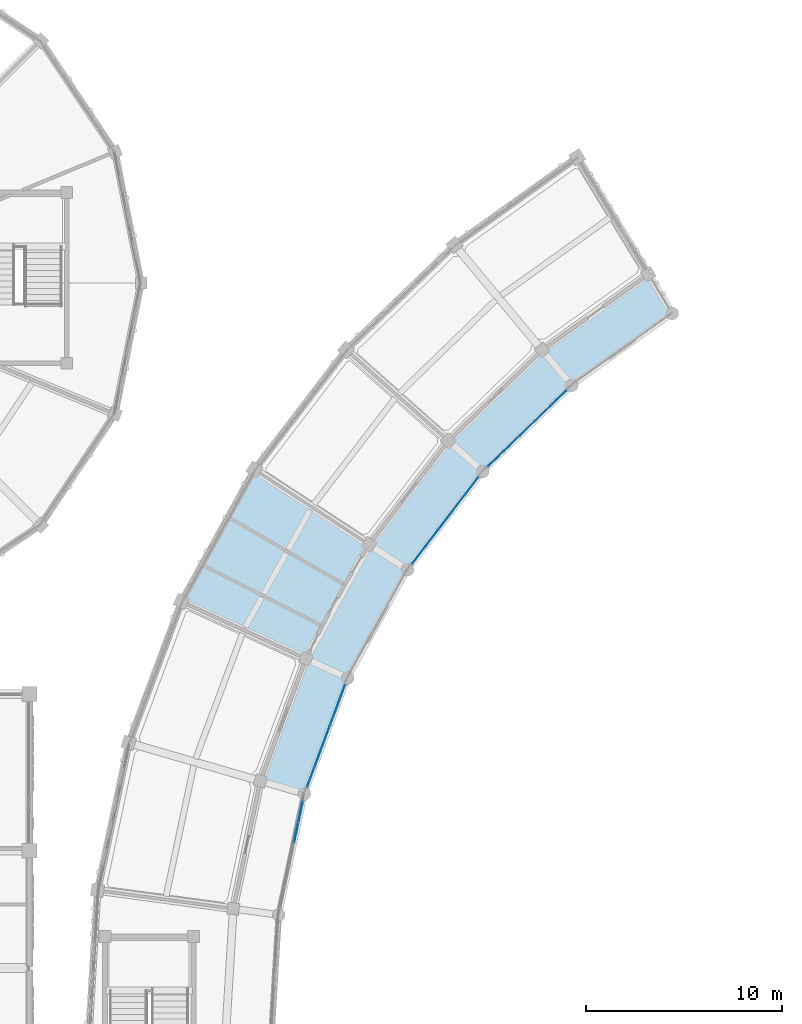
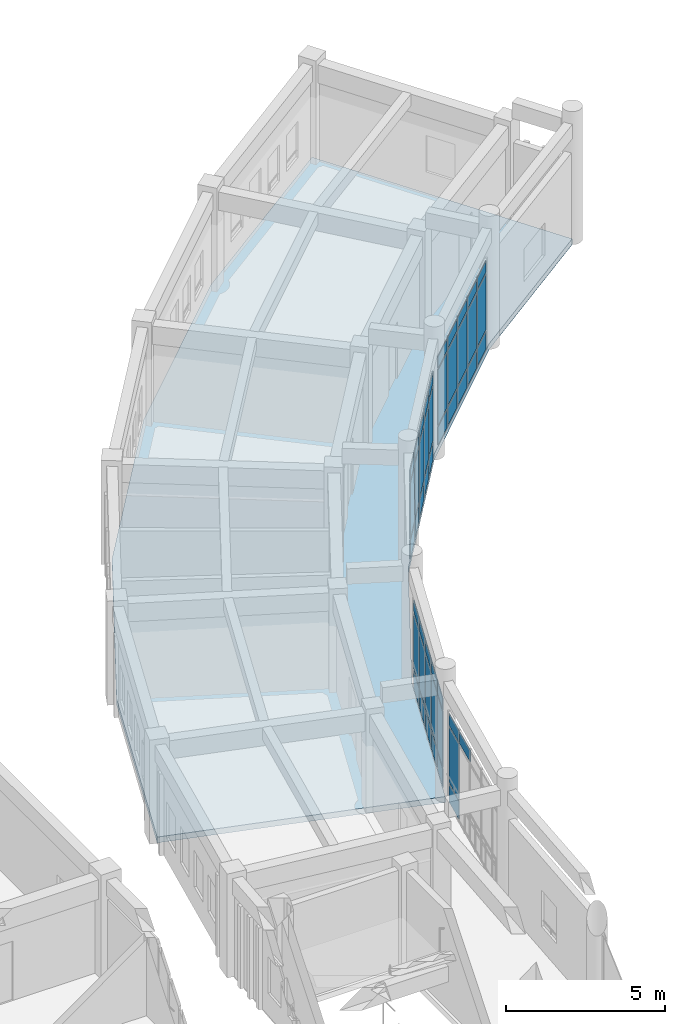
# One storey, part 109 of 159: 49 plates, 1 slab, 4 elements without a shape of their own.
"""IFC4 building model written with IfcOpenShell, lengths in metres."""

from ifc_helpers import new_model, si_unit, direction, frame, origin, origin_2d, place, context, subcontext, project, spatial, polyline, rectangle, outline, extrude, material, layer, layer_set, type_object, element, aggregate, save


model = new_model("IFC4")

# Units and contexts
model_context = context("Model", 3, precision=1e-05, world=origin(), true_north=direction((0.0, 1.0)))
body_context = subcontext(model_context, "Body", "Model", "MODEL_VIEW")
ifc_project = project(units=[si_unit("LENGTHUNIT", "METRE"), si_unit("AREAUNIT", "SQUARE_METRE"), si_unit("VOLUMEUNIT", "CUBIC_METRE"), si_unit("PLANEANGLEUNIT", "RADIAN"), si_unit("MASSUNIT", "GRAM", prefix="KILO")], contexts=[model_context])

# Site, building, storey
site_placement = place(None, origin())
site = spatial("IfcSite", under=ifc_project, at=site_placement, CompositionType="ELEMENT")
building_placement = place(site_placement, origin())
building = spatial("IfcBuilding", under=site, at=building_placement, Name="Celadon Cloister-Ring School", CompositionType="ELEMENT")
storey_placement = place(building_placement, frame((0.0, 0.0, 4.5)))
storey = spatial("IfcBuildingStorey", under=building, at=storey_placement, Name="L01", CompositionType="ELEMENT", Elevation=4.5)

# Curtain wall, plates
ifc_material_1 = material(Name="Aluminium EN AW-6063 T6", Category="aluminium")
curtain_wall_type = type_object("IfcCurtainWallType", Name="CW-01", PredefinedType="USERDEFINED", material=ifc_material_1)
curtain_wall_1_placement = place(storey_placement, origin())
curtain_wall_1 = element("IfcCurtainWall", 1, at=curtain_wall_1_placement, inside=storey, type_object=curtain_wall_type, Name="Curtain Wall 0021", ObjectType="CURTAIN WALL", PredefinedType="USERDEFINED")
ifc_material_2 = material(Name="Tempered laminated insulating glass", Category="glass")
ifc_layer_1 = layer(ifc_material_2, 0.028076171875)
ifc_layer_set_1 = layer_set([ifc_layer_1], Name="Tempered laminated insulating glass")
plate_type = type_object("IfcPlateType", Name="CPN-02", PredefinedType="CURTAIN_PANEL", material=ifc_layer_set_1)
plate_1_placement = place(storey_placement, frame((59.03515625, 91.125732421875, 0.074951171875), z_axis=(0.0, 0.0, 1.0), x_axis=(-0.718565178082, -0.695459621292, 0.0)))
plate_1 = element("IfcPlate", 2, at=plate_1_placement, type_object=plate_type, Name="CW-01 panel 1.1", PredefinedType="CURTAIN_PANEL", context=body_context, shape_type="SweptSolid", body=[
    extrude(rectangle(XDim=1.013916015625, YDim=0.028076171875, at=origin_2d()), origin(), (0.0, 0.0, 1.0), 0.6875),
])
plate_2_placement = place(storey_placement, frame((59.03515625, 91.125732421875, 0.83740234375), z_axis=(0.0, 0.0, 1.0), x_axis=(-0.718565178082, -0.695459621292, 0.0)))
plate_2 = element("IfcPlate", 3, at=plate_2_placement, type_object=plate_type, Name="CW-01 panel 1.2", PredefinedType="CURTAIN_PANEL", context=body_context, shape_type="SweptSolid", body=[
    extrude(rectangle(XDim=1.013916015625, YDim=0.028076171875, at=origin_2d()), origin(), (0.0, 0.0, 1.0), 2.125),
])
plate_3_placement = place(storey_placement, frame((59.03515625, 91.125732421875, 3.03759765625), z_axis=(0.0, 0.0, 1.0), x_axis=(-0.718565178082, -0.695459621292, 0.0)))
plate_3 = element("IfcPlate", 4, at=plate_3_placement, type_object=plate_type, Name="CW-01 panel 1.3", PredefinedType="CURTAIN_PANEL", context=body_context, shape_type="SweptSolid", body=[
    extrude(rectangle(XDim=1.013916015625, YDim=0.028076171875, at=origin_2d()), origin(), (0.0, 0.0, 1.0), 0.4375),
])
plate_4_placement = place(storey_placement, frame((58.23486328125, 90.35107421875, 0.074951171875), z_axis=(0.0, 0.0, 1.0), x_axis=(-0.718565178082, -0.695459621292, 0.0)))
plate_4 = element("IfcPlate", 5, at=plate_4_placement, type_object=plate_type, Name="CW-01 panel 2.1", PredefinedType="CURTAIN_PANEL", context=body_context, shape_type="SweptSolid", body=[
    extrude(rectangle(XDim=1.053955078125, YDim=0.028076171875, at=origin_2d()), origin(), (0.0, 0.0, 1.0), 0.6875),
])
plate_5_placement = place(storey_placement, frame((58.23486328125, 90.35107421875, 0.83740234375), z_axis=(0.0, 0.0, 1.0), x_axis=(-0.718565178082, -0.695459621292, 0.0)))
plate_5 = element("IfcPlate", 6, at=plate_5_placement, type_object=plate_type, Name="CW-01 panel 2.2", PredefinedType="CURTAIN_PANEL", context=body_context, shape_type="SweptSolid", body=[
    extrude(rectangle(XDim=1.053955078125, YDim=0.028076171875, at=origin_2d()), origin(), (0.0, 0.0, 1.0), 2.125),
])
plate_6_placement = place(storey_placement, frame((58.23486328125, 90.35107421875, 3.03759765625), z_axis=(0.0, 0.0, 1.0), x_axis=(-0.718565178082, -0.695459621292, 0.0)))
plate_6 = element("IfcPlate", 7, at=plate_6_placement, type_object=plate_type, Name="CW-01 panel 2.3", PredefinedType="CURTAIN_PANEL", context=body_context, shape_type="SweptSolid", body=[
    extrude(rectangle(XDim=1.053955078125, YDim=0.028076171875, at=origin_2d()), origin(), (0.0, 0.0, 1.0), 0.4375),
])
plate_7_placement = place(storey_placement, frame((57.419921875, 89.5625, 0.074951171875), z_axis=(0.0, 0.0, 1.0), x_axis=(-0.718565178082, -0.695459621292, 0.0)))
plate_7 = element("IfcPlate", 8, at=plate_7_placement, type_object=plate_type, Name="CW-01 panel 3.1", PredefinedType="CURTAIN_PANEL", context=body_context, shape_type="SweptSolid", body=[
    extrude(rectangle(XDim=1.053955078125, YDim=0.028076171875, at=origin_2d()), origin(), (0.0, 0.0, 1.0), 0.6875),
])
plate_8_placement = place(storey_placement, frame((57.419921875, 89.5625, 0.83740234375), z_axis=(0.0, 0.0, 1.0), x_axis=(-0.718565178082, -0.695459621292, 0.0)))
plate_8 = element("IfcPlate", 9, at=plate_8_placement, type_object=plate_type, Name="CW-01 panel 3.2", PredefinedType="CURTAIN_PANEL", context=body_context, shape_type="SweptSolid", body=[
    extrude(rectangle(XDim=1.053955078125, YDim=0.028076171875, at=origin_2d()), origin(), (0.0, 0.0, 1.0), 2.125),
])
plate_9_placement = place(storey_placement, frame((57.419921875, 89.5625, 3.03759765625), z_axis=(0.0, 0.0, 1.0), x_axis=(-0.718565178082, -0.695459621292, 0.0)))
plate_9 = element("IfcPlate", 10, at=plate_9_placement, type_object=plate_type, Name="CW-01 panel 3.3", PredefinedType="CURTAIN_PANEL", context=body_context, shape_type="SweptSolid", body=[
    extrude(rectangle(XDim=1.053955078125, YDim=0.028076171875, at=origin_2d()), origin(), (0.0, 0.0, 1.0), 0.4375),
])
plate_10_placement = place(storey_placement, frame((56.605224609375, 88.77392578125, 0.074951171875), z_axis=(0.0, 0.0, 1.0), x_axis=(-0.718565178082, -0.695459621292, 0.0)))
plate_10 = element("IfcPlate", 11, at=plate_10_placement, type_object=plate_type, Name="CW-01 panel 4.1", PredefinedType="CURTAIN_PANEL", context=body_context, shape_type="SweptSolid", body=[
    extrude(rectangle(XDim=1.053955078125, YDim=0.028076171875, at=origin_2d()), origin(), (0.0, 0.0, 1.0), 0.6875),
])
plate_11_placement = place(storey_placement, frame((56.605224609375, 88.77392578125, 0.83740234375), z_axis=(0.0, 0.0, 1.0), x_axis=(-0.718565178082, -0.695459621292, 0.0)))
plate_11 = element("IfcPlate", 12, at=plate_11_placement, type_object=plate_type, Name="CW-01 panel 4.2", PredefinedType="CURTAIN_PANEL", context=body_context, shape_type="SweptSolid", body=[
    extrude(rectangle(XDim=1.053955078125, YDim=0.028076171875, at=origin_2d()), origin(), (0.0, 0.0, 1.0), 2.125),
])
plate_12_placement = place(storey_placement, frame((56.605224609375, 88.77392578125, 3.03759765625), z_axis=(0.0, 0.0, 1.0), x_axis=(-0.718565178082, -0.695459621292, 0.0)))
plate_12 = element("IfcPlate", 13, at=plate_12_placement, type_object=plate_type, Name="CW-01 panel 4.3", PredefinedType="CURTAIN_PANEL", context=body_context, shape_type="SweptSolid", body=[
    extrude(rectangle(XDim=1.053955078125, YDim=0.028076171875, at=origin_2d()), origin(), (0.0, 0.0, 1.0), 0.4375),
])
plate_13_placement = place(storey_placement, frame((55.8046875, 87.999267578125, 0.074951171875), z_axis=(0.0, 0.0, 1.0), x_axis=(-0.718565178082, -0.695459621292, 0.0)))
plate_13 = element("IfcPlate", 14, at=plate_13_placement, type_object=plate_type, Name="CW-01 panel 5.1", PredefinedType="CURTAIN_PANEL", context=body_context, shape_type="SweptSolid", body=[
    extrude(rectangle(XDim=1.013916015625, YDim=0.028076171875, at=origin_2d()), origin(), (0.0, 0.0, 1.0), 0.6875),
])
plate_14_placement = place(storey_placement, frame((55.8046875, 87.999267578125, 0.83740234375), z_axis=(0.0, 0.0, 1.0), x_axis=(-0.718565178082, -0.695459621292, 0.0)))
plate_14 = element("IfcPlate", 15, at=plate_14_placement, type_object=plate_type, Name="CW-01 panel 5.2", PredefinedType="CURTAIN_PANEL", context=body_context, shape_type="SweptSolid", body=[
    extrude(rectangle(XDim=1.013916015625, YDim=0.028076171875, at=origin_2d()), origin(), (0.0, 0.0, 1.0), 2.125),
])
plate_15_placement = place(storey_placement, frame((55.8046875, 87.999267578125, 3.03759765625), z_axis=(0.0, 0.0, 1.0), x_axis=(-0.718565178082, -0.695459621292, 0.0)))
plate_15 = element("IfcPlate", 16, at=plate_15_placement, type_object=plate_type, Name="CW-01 panel 5.3", PredefinedType="CURTAIN_PANEL", context=body_context, shape_type="SweptSolid", body=[
    extrude(rectangle(XDim=1.013916015625, YDim=0.028076171875, at=origin_2d()), origin(), (0.0, 0.0, 1.0), 0.4375),
])
aggregate(curtain_wall_1, [plate_1, plate_2, plate_3, plate_4, plate_5, plate_6, plate_7, plate_8, plate_9, plate_10, plate_11, plate_12, plate_13, plate_14, plate_15])

curtain_wall_2_placement = place(storey_placement, origin())
curtain_wall_2 = element("IfcCurtainWall", 17, at=curtain_wall_2_placement, inside=storey, type_object=curtain_wall_type, Name="Curtain Wall 0022", ObjectType="CURTAIN WALL", PredefinedType="USERDEFINED")
plate_16_placement = place(storey_placement, frame((54.595458984375, 86.64111328125, 0.074951171875), z_axis=(0.0, 0.0, 1.0), x_axis=(-0.607875738699, -0.794032169563, 0.0)))
plate_16 = element("IfcPlate", 18, at=plate_16_placement, type_object=plate_type, Name="CW-01 panel 1.1", PredefinedType="CURTAIN_PANEL", context=body_context, shape_type="SweptSolid", body=[
    extrude(rectangle(XDim=1.013427734375, YDim=0.028076171875, at=origin_2d()), origin(), (0.0, 0.0, 1.0), 0.6875),
])
plate_17_placement = place(storey_placement, frame((54.595458984375, 86.64111328125, 0.83740234375), z_axis=(0.0, 0.0, 1.0), x_axis=(-0.607875738699, -0.794032169563, 0.0)))
plate_17 = element("IfcPlate", 19, at=plate_17_placement, type_object=plate_type, Name="CW-01 panel 1.2", PredefinedType="CURTAIN_PANEL", context=body_context, shape_type="SweptSolid", body=[
    extrude(rectangle(XDim=1.013427734375, YDim=0.028076171875, at=origin_2d()), origin(), (0.0, 0.0, 1.0), 2.125),
])
plate_18_placement = place(storey_placement, frame((54.595458984375, 86.64111328125, 3.03759765625), z_axis=(0.0, 0.0, 1.0), x_axis=(-0.607875738699, -0.794032169563, 0.0)))
plate_18 = element("IfcPlate", 20, at=plate_18_placement, type_object=plate_type, Name="CW-01 panel 1.3", PredefinedType="CURTAIN_PANEL", context=body_context, shape_type="SweptSolid", body=[
    extrude(rectangle(XDim=1.013427734375, YDim=0.028076171875, at=origin_2d()), origin(), (0.0, 0.0, 1.0), 0.4375),
])
plate_19_placement = place(storey_placement, frame((53.91845703125, 85.757080078125, 0.074951171875), z_axis=(0.0, 0.0, 1.0), x_axis=(-0.607875738699, -0.794032169563, 0.0)))
plate_19 = element("IfcPlate", 21, at=plate_19_placement, type_object=plate_type, Name="CW-01 panel 2.1", PredefinedType="CURTAIN_PANEL", context=body_context, shape_type="SweptSolid", body=[
    extrude(rectangle(XDim=1.053466796875, YDim=0.028076171875, at=origin_2d()), origin(), (0.0, 0.0, 1.0), 0.6875),
])
plate_20_placement = place(storey_placement, frame((53.91845703125, 85.757080078125, 0.83740234375), z_axis=(0.0, 0.0, 1.0), x_axis=(-0.607875738699, -0.794032169563, 0.0)))
plate_20 = element("IfcPlate", 22, at=plate_20_placement, type_object=plate_type, Name="CW-01 panel 2.2", PredefinedType="CURTAIN_PANEL", context=body_context, shape_type="SweptSolid", body=[
    extrude(rectangle(XDim=1.053466796875, YDim=0.028076171875, at=origin_2d()), origin(), (0.0, 0.0, 1.0), 2.125),
])
plate_21_placement = place(storey_placement, frame((53.91845703125, 85.757080078125, 3.03759765625), z_axis=(0.0, 0.0, 1.0), x_axis=(-0.607875738699, -0.794032169563, 0.0)))
plate_21 = element("IfcPlate", 23, at=plate_21_placement, type_object=plate_type, Name="CW-01 panel 2.3", PredefinedType="CURTAIN_PANEL", context=body_context, shape_type="SweptSolid", body=[
    extrude(rectangle(XDim=1.053466796875, YDim=0.028076171875, at=origin_2d()), origin(), (0.0, 0.0, 1.0), 0.4375),
])
plate_22_placement = place(storey_placement, frame((53.2294921875, 84.85693359375, 0.074951171875), z_axis=(0.0, 0.0, 1.0), x_axis=(-0.607875738699, -0.794032169563, 0.0)))
plate_22 = element("IfcPlate", 24, at=plate_22_placement, type_object=plate_type, Name="CW-01 panel 3.1", PredefinedType="CURTAIN_PANEL", context=body_context, shape_type="SweptSolid", body=[
    extrude(rectangle(XDim=1.053466796875, YDim=0.028076171875, at=origin_2d()), origin(), (0.0, 0.0, 1.0), 0.6875),
])
plate_23_placement = place(storey_placement, frame((53.2294921875, 84.85693359375, 0.83740234375), z_axis=(0.0, 0.0, 1.0), x_axis=(-0.607875738699, -0.794032169563, 0.0)))
plate_23 = element("IfcPlate", 25, at=plate_23_placement, type_object=plate_type, Name="CW-01 panel 3.2", PredefinedType="CURTAIN_PANEL", context=body_context, shape_type="SweptSolid", body=[
    extrude(rectangle(XDim=1.053466796875, YDim=0.028076171875, at=origin_2d()), origin(), (0.0, 0.0, 1.0), 2.125),
])
plate_24_placement = place(storey_placement, frame((53.2294921875, 84.85693359375, 3.03759765625), z_axis=(0.0, 0.0, 1.0), x_axis=(-0.607875738699, -0.794032169563, 0.0)))
plate_24 = element("IfcPlate", 26, at=plate_24_placement, type_object=plate_type, Name="CW-01 panel 3.3", PredefinedType="CURTAIN_PANEL", context=body_context, shape_type="SweptSolid", body=[
    extrude(rectangle(XDim=1.053466796875, YDim=0.028076171875, at=origin_2d()), origin(), (0.0, 0.0, 1.0), 0.4375),
])
plate_25_placement = place(storey_placement, frame((52.54052734375, 83.95703125, 0.074951171875), z_axis=(0.0, 0.0, 1.0), x_axis=(-0.607875738699, -0.794032169563, 0.0)))
plate_25 = element("IfcPlate", 27, at=plate_25_placement, type_object=plate_type, Name="CW-01 panel 4.1", PredefinedType="CURTAIN_PANEL", context=body_context, shape_type="SweptSolid", body=[
    extrude(rectangle(XDim=1.053466796875, YDim=0.028076171875, at=origin_2d()), origin(), (0.0, 0.0, 1.0), 0.6875),
])
plate_26_placement = place(storey_placement, frame((52.54052734375, 83.95703125, 0.83740234375), z_axis=(0.0, 0.0, 1.0), x_axis=(-0.607875738699, -0.794032169563, 0.0)))
plate_26 = element("IfcPlate", 28, at=plate_26_placement, type_object=plate_type, Name="CW-01 panel 4.2", PredefinedType="CURTAIN_PANEL", context=body_context, shape_type="SweptSolid", body=[
    extrude(rectangle(XDim=1.053466796875, YDim=0.028076171875, at=origin_2d()), origin(), (0.0, 0.0, 1.0), 2.125),
])
plate_27_placement = place(storey_placement, frame((52.54052734375, 83.95703125, 3.03759765625), z_axis=(0.0, 0.0, 1.0), x_axis=(-0.607875738699, -0.794032169563, 0.0)))
plate_27 = element("IfcPlate", 29, at=plate_27_placement, type_object=plate_type, Name="CW-01 panel 4.3", PredefinedType="CURTAIN_PANEL", context=body_context, shape_type="SweptSolid", body=[
    extrude(rectangle(XDim=1.053466796875, YDim=0.028076171875, at=origin_2d()), origin(), (0.0, 0.0, 1.0), 0.4375),
])
plate_28_placement = place(storey_placement, frame((51.86376953125, 83.072998046875, 0.074951171875), z_axis=(0.0, 0.0, 1.0), x_axis=(-0.607875738699, -0.794032169563, 0.0)))
plate_28 = element("IfcPlate", 30, at=plate_28_placement, type_object=plate_type, Name="CW-01 panel 5.1", PredefinedType="CURTAIN_PANEL", context=body_context, shape_type="SweptSolid", body=[
    extrude(rectangle(XDim=1.013427734375, YDim=0.028076171875, at=origin_2d()), origin(), (0.0, 0.0, 1.0), 0.6875),
])
plate_29_placement = place(storey_placement, frame((51.86376953125, 83.072998046875, 0.83740234375), z_axis=(0.0, 0.0, 1.0), x_axis=(-0.607875738699, -0.794032169563, 0.0)))
plate_29 = element("IfcPlate", 31, at=plate_29_placement, type_object=plate_type, Name="CW-01 panel 5.2", PredefinedType="CURTAIN_PANEL", context=body_context, shape_type="SweptSolid", body=[
    extrude(rectangle(XDim=1.013427734375, YDim=0.028076171875, at=origin_2d()), origin(), (0.0, 0.0, 1.0), 2.125),
])
plate_30_placement = place(storey_placement, frame((51.86376953125, 83.072998046875, 3.03759765625), z_axis=(0.0, 0.0, 1.0), x_axis=(-0.607875738699, -0.794032169563, 0.0)))
plate_30 = element("IfcPlate", 32, at=plate_30_placement, type_object=plate_type, Name="CW-01 panel 5.3", PredefinedType="CURTAIN_PANEL", context=body_context, shape_type="SweptSolid", body=[
    extrude(rectangle(XDim=1.013427734375, YDim=0.028076171875, at=origin_2d()), origin(), (0.0, 0.0, 1.0), 0.4375),
])
aggregate(curtain_wall_2, [plate_16, plate_17, plate_18, plate_19, plate_20, plate_21, plate_22, plate_23, plate_24, plate_25, plate_26, plate_27, plate_28, plate_29, plate_30])

curtain_wall_3_placement = place(storey_placement, origin())
curtain_wall_3 = element("IfcCurtainWall", 33, at=curtain_wall_3_placement, inside=storey, type_object=curtain_wall_type, Name="Curtain Wall 0023", ObjectType="CURTAIN WALL", PredefinedType="USERDEFINED")
plate_31_placement = place(storey_placement, frame((47.93212890625, 75.965087890625, 0.074951171875), z_axis=(0.0, 0.0, 1.0), x_axis=(-0.349266954081, -0.937023262671, 0.0)))
plate_31 = element("IfcPlate", 34, at=plate_31_placement, type_object=plate_type, Name="CW-01 panel 1.1", PredefinedType="CURTAIN_PANEL", context=body_context, shape_type="SweptSolid", body=[
    extrude(rectangle(XDim=1.013916015625, YDim=0.028076171875, at=origin_2d()), origin(), (0.0, 0.0, 1.0), 0.6875),
])
plate_32_placement = place(storey_placement, frame((47.93212890625, 75.965087890625, 0.83740234375), z_axis=(0.0, 0.0, 1.0), x_axis=(-0.349266954081, -0.937023262671, 0.0)))
plate_32 = element("IfcPlate", 35, at=plate_32_placement, type_object=plate_type, Name="CW-01 panel 1.2", PredefinedType="CURTAIN_PANEL", context=body_context, shape_type="SweptSolid", body=[
    extrude(rectangle(XDim=1.013916015625, YDim=0.028076171875, at=origin_2d()), origin(), (0.0, 0.0, 1.0), 2.125),
])
plate_33_placement = place(storey_placement, frame((47.93212890625, 75.965087890625, 3.03759765625), z_axis=(0.0, 0.0, 1.0), x_axis=(-0.349266954081, -0.937023262671, 0.0)))
plate_33 = element("IfcPlate", 36, at=plate_33_placement, type_object=plate_type, Name="CW-01 panel 1.3", PredefinedType="CURTAIN_PANEL", context=body_context, shape_type="SweptSolid", body=[
    extrude(rectangle(XDim=1.013916015625, YDim=0.028076171875, at=origin_2d()), origin(), (0.0, 0.0, 1.0), 0.4375),
])
plate_34_placement = place(storey_placement, frame((47.54296875, 74.92138671875, 0.074951171875), z_axis=(0.0, 0.0, 1.0), x_axis=(-0.349266954081, -0.937023262671, 0.0)))
plate_34 = element("IfcPlate", 37, at=plate_34_placement, type_object=plate_type, Name="CW-01 panel 2.1", PredefinedType="CURTAIN_PANEL", context=body_context, shape_type="SweptSolid", body=[
    extrude(rectangle(XDim=1.0537109375, YDim=0.028076171875, at=origin_2d()), origin(), (0.0, 0.0, 1.0), 0.6875),
])
plate_35_placement = place(storey_placement, frame((47.54296875, 74.92138671875, 0.83740234375), z_axis=(0.0, 0.0, 1.0), x_axis=(-0.349266954081, -0.937023262671, 0.0)))
plate_35 = element("IfcPlate", 38, at=plate_35_placement, type_object=plate_type, Name="CW-01 panel 2.2", PredefinedType="CURTAIN_PANEL", context=body_context, shape_type="SweptSolid", body=[
    extrude(rectangle(XDim=1.0537109375, YDim=0.028076171875, at=origin_2d()), origin(), (0.0, 0.0, 1.0), 2.125),
])
plate_36_placement = place(storey_placement, frame((47.54296875, 74.92138671875, 3.03759765625), z_axis=(0.0, 0.0, 1.0), x_axis=(-0.349266954081, -0.937023262671, 0.0)))
plate_36 = element("IfcPlate", 39, at=plate_36_placement, type_object=plate_type, Name="CW-01 panel 2.3", PredefinedType="CURTAIN_PANEL", context=body_context, shape_type="SweptSolid", body=[
    extrude(rectangle(XDim=1.0537109375, YDim=0.028076171875, at=origin_2d()), origin(), (0.0, 0.0, 1.0), 0.4375),
])
plate_37_placement = place(storey_placement, frame((47.14697265625, 73.85888671875, 0.074951171875), z_axis=(0.0, 0.0, 1.0), x_axis=(-0.349266954081, -0.937023262671, 0.0)))
plate_37 = element("IfcPlate", 40, at=plate_37_placement, type_object=plate_type, Name="CW-01 panel 3.1", PredefinedType="CURTAIN_PANEL", context=body_context, shape_type="SweptSolid", body=[
    extrude(rectangle(XDim=1.0537109375, YDim=0.028076171875, at=origin_2d()), origin(), (0.0, 0.0, 1.0), 0.6875),
])
plate_38_placement = place(storey_placement, frame((47.14697265625, 73.85888671875, 0.83740234375), z_axis=(0.0, 0.0, 1.0), x_axis=(-0.349266954081, -0.937023262671, 0.0)))
plate_38 = element("IfcPlate", 41, at=plate_38_placement, type_object=plate_type, Name="CW-01 panel 3.2", PredefinedType="CURTAIN_PANEL", context=body_context, shape_type="SweptSolid", body=[
    extrude(rectangle(XDim=1.0537109375, YDim=0.028076171875, at=origin_2d()), origin(), (0.0, 0.0, 1.0), 2.125),
])
plate_39_placement = place(storey_placement, frame((47.14697265625, 73.85888671875, 3.03759765625), z_axis=(0.0, 0.0, 1.0), x_axis=(-0.349266954081, -0.937023262671, 0.0)))
plate_39 = element("IfcPlate", 42, at=plate_39_placement, type_object=plate_type, Name="CW-01 panel 3.3", PredefinedType="CURTAIN_PANEL", context=body_context, shape_type="SweptSolid", body=[
    extrude(rectangle(XDim=1.0537109375, YDim=0.028076171875, at=origin_2d()), origin(), (0.0, 0.0, 1.0), 0.4375),
])
plate_40_placement = place(storey_placement, frame((46.7509765625, 72.796630859375, 0.074951171875), z_axis=(0.0, 0.0, 1.0), x_axis=(-0.349266954081, -0.937023262671, 0.0)))
plate_40 = element("IfcPlate", 43, at=plate_40_placement, type_object=plate_type, Name="CW-01 panel 4.1", PredefinedType="CURTAIN_PANEL", context=body_context, shape_type="SweptSolid", body=[
    extrude(rectangle(XDim=1.0537109375, YDim=0.028076171875, at=origin_2d()), origin(), (0.0, 0.0, 1.0), 0.6875),
])
plate_41_placement = place(storey_placement, frame((46.7509765625, 72.796630859375, 0.83740234375), z_axis=(0.0, 0.0, 1.0), x_axis=(-0.349266954081, -0.937023262671, 0.0)))
plate_41 = element("IfcPlate", 44, at=plate_41_placement, type_object=plate_type, Name="CW-01 panel 4.2", PredefinedType="CURTAIN_PANEL", context=body_context, shape_type="SweptSolid", body=[
    extrude(rectangle(XDim=1.0537109375, YDim=0.028076171875, at=origin_2d()), origin(), (0.0, 0.0, 1.0), 2.125),
])
plate_42_placement = place(storey_placement, frame((46.7509765625, 72.796630859375, 3.03759765625), z_axis=(0.0, 0.0, 1.0), x_axis=(-0.349266954081, -0.937023262671, 0.0)))
plate_42 = element("IfcPlate", 45, at=plate_42_placement, type_object=plate_type, Name="CW-01 panel 4.3", PredefinedType="CURTAIN_PANEL", context=body_context, shape_type="SweptSolid", body=[
    extrude(rectangle(XDim=1.0537109375, YDim=0.028076171875, at=origin_2d()), origin(), (0.0, 0.0, 1.0), 0.4375),
])
plate_43_placement = place(storey_placement, frame((46.362060546875, 71.7529296875, 0.074951171875), z_axis=(0.0, 0.0, 1.0), x_axis=(-0.349266954081, -0.937023262671, 0.0)))
plate_43 = element("IfcPlate", 46, at=plate_43_placement, type_object=plate_type, Name="CW-01 panel 5.1", PredefinedType="CURTAIN_PANEL", context=body_context, shape_type="SweptSolid", body=[
    extrude(rectangle(XDim=1.013916015625, YDim=0.028076171875, at=origin_2d()), origin(), (0.0, 0.0, 1.0), 0.6875),
])
plate_44_placement = place(storey_placement, frame((46.362060546875, 71.7529296875, 0.83740234375), z_axis=(0.0, 0.0, 1.0), x_axis=(-0.349266954081, -0.937023262671, 0.0)))
plate_44 = element("IfcPlate", 47, at=plate_44_placement, type_object=plate_type, Name="CW-01 panel 5.2", PredefinedType="CURTAIN_PANEL", context=body_context, shape_type="SweptSolid", body=[
    extrude(rectangle(XDim=1.013916015625, YDim=0.028076171875, at=origin_2d()), origin(), (0.0, 0.0, 1.0), 2.125),
])
plate_45_placement = place(storey_placement, frame((46.362060546875, 71.7529296875, 3.03759765625), z_axis=(0.0, 0.0, 1.0), x_axis=(-0.349266954081, -0.937023262671, 0.0)))
plate_45 = element("IfcPlate", 48, at=plate_45_placement, type_object=plate_type, Name="CW-01 panel 5.3", PredefinedType="CURTAIN_PANEL", context=body_context, shape_type="SweptSolid", body=[
    extrude(rectangle(XDim=1.013916015625, YDim=0.028076171875, at=origin_2d()), origin(), (0.0, 0.0, 1.0), 0.4375),
])
aggregate(curtain_wall_3, [plate_31, plate_32, plate_33, plate_34, plate_35, plate_36, plate_37, plate_38, plate_39, plate_40, plate_41, plate_42, plate_43, plate_44, plate_45])

curtain_wall_4_placement = place(storey_placement, origin())
curtain_wall_4 = element("IfcCurtainWall", 49, at=curtain_wall_4_placement, inside=storey, type_object=curtain_wall_type, Name="Curtain Wall 0024", ObjectType="CURTAIN WALL", PredefinedType="USERDEFINED")
plate_46_placement = place(storey_placement, frame((45.8544921875, 70.0068359375, 0.074951171875), z_axis=(0.0, 0.0, 1.0), x_axis=(-0.207094964304, -0.978320844999, 0.0)))
plate_46 = element("IfcPlate", 50, at=plate_46_placement, type_object=plate_type, Name="CW-01 panel 1.1", PredefinedType="CURTAIN_PANEL", context=body_context, shape_type="SweptSolid", body=[
    extrude(rectangle(XDim=1.013671875, YDim=0.028076171875, at=origin_2d()), origin(), (0.0, 0.0, 1.0), 0.6875),
])
plate_47_placement = place(storey_placement, frame((45.8544921875, 70.0068359375, 0.83740234375), z_axis=(0.0, 0.0, 1.0), x_axis=(-0.207094964304, -0.978320844999, 0.0)))
plate_47 = element("IfcPlate", 51, at=plate_47_placement, type_object=plate_type, Name="CW-01 panel 1.2", PredefinedType="CURTAIN_PANEL", context=body_context, shape_type="SweptSolid", body=[
    extrude(rectangle(XDim=1.013671875, YDim=0.028076171875, at=origin_2d()), origin(), (0.0, 0.0, 1.0), 2.125),
])
plate_48_placement = place(storey_placement, frame((45.8544921875, 70.0068359375, 3.03759765625), z_axis=(0.0, 0.0, 1.0), x_axis=(-0.207094964304, -0.978320844999, 0.0)))
plate_48 = element("IfcPlate", 52, at=plate_48_placement, type_object=plate_type, Name="CW-01 panel 1.3", PredefinedType="CURTAIN_PANEL", context=body_context, shape_type="SweptSolid", body=[
    extrude(rectangle(XDim=1.013671875, YDim=0.028076171875, at=origin_2d()), origin(), (0.0, 0.0, 1.0), 0.4375),
])
plate_49_placement = place(storey_placement, frame((45.623779296875, 68.917236328125, 3.03759765625), z_axis=(0.0, 0.0, 1.0), x_axis=(-0.207094964304, -0.978320844999, 0.0)))
plate_49 = element("IfcPlate", 53, at=plate_49_placement, type_object=plate_type, Name="CW-01 panel 2.3", PredefinedType="CURTAIN_PANEL", context=body_context, shape_type="SweptSolid", body=[
    extrude(rectangle(XDim=1.0537109375, YDim=0.028076171875, at=origin_2d()), origin(), (0.0, 0.0, 1.0), 0.4375),
])
aggregate(curtain_wall_4, [plate_46, plate_47, plate_48, plate_49])

# Slab
ifc_material_3 = material(Name="Concrete C35/45", Category="concrete")
ifc_layer_2 = layer(ifc_material_3, 0.219970703125)
ifc_layer_set_2 = layer_set([ifc_layer_2], Name="Concrete C35/45")
slab_type = type_object("IfcSlabType", Name="SL-FL2", PredefinedType="FLOOR", material=ifc_layer_set_2)
slab_placement = place(storey_placement, frame((0.0, 0.0, -0.219970703125)))
element("IfcSlab", 54, at=slab_placement, inside=storey, type_object=slab_type, Name="Ring L01 Sector 0008", PredefinedType="FLOOR", context=body_context, shape_type="SweptSolid", body=[
    extrude(outline(polyline([(64.830078125, 95.43505859375), (59.68994140625, 91.760009765625), (55.14990234375, 87.364990234375), (51.30908203125, 82.34912109375), (48.2509765625, 76.819091796875), (46.04296875, 70.89892578125), (37.06494140625, 73.508056640625), (39.756103515625, 80.72607421875), (43.48388671875, 87.467041015625), (48.16796875, 93.583984375), (53.702880859375, 98.94091796875), (59.968994140625, 103.422119140625), (64.830078125, 95.43505859375)])), origin(), (0.0, 0.0, 1.0), 0.219970703125),
])

save(model, "model.ifc")
